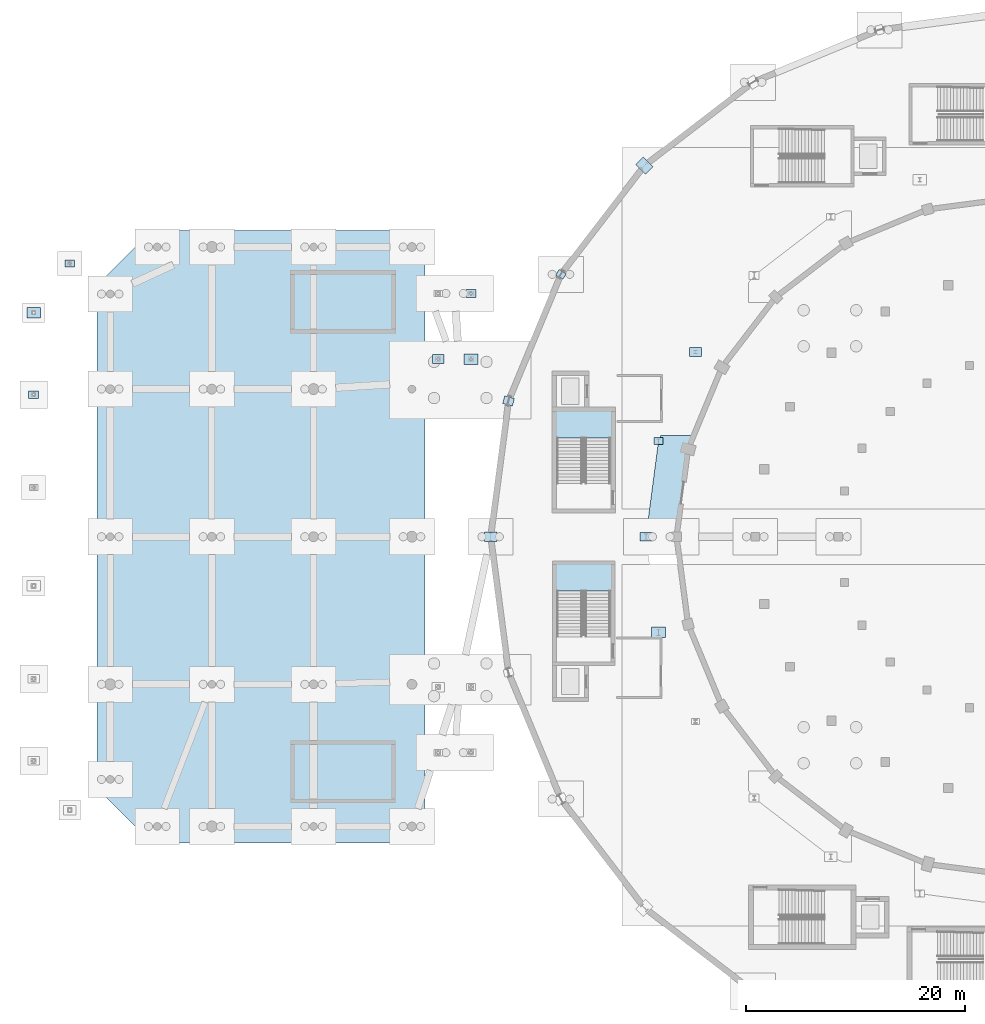
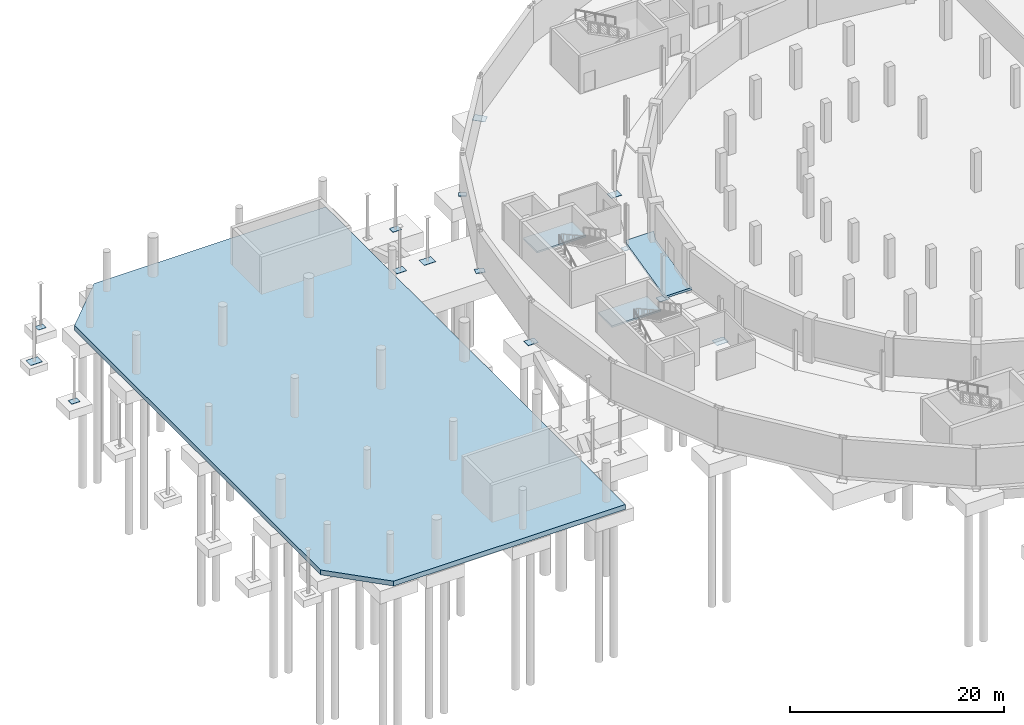
# One storey, part 35 of 55: 14 plates, 4 slabs, 2 elements without a shape of their own.
"""IFC4 building model written with IfcOpenShell, lengths in metres."""

from ifc_helpers import new_model, si_unit, direction, frame, origin, origin_2d, place, context, subcontext, project, spatial, polyline, rectangle, outline, extrude, material, layer, layer_set, type_object, element, aggregate, save


model = new_model("IFC4")

# Units and contexts
model_context = context("Model", 3, precision=1e-05, world=origin(), true_north=direction((0.0, 1.0)))
body_context = subcontext(model_context, "Body", "Model", "MODEL_VIEW")
ifc_project = project(units=[si_unit("LENGTHUNIT", "METRE"), si_unit("AREAUNIT", "SQUARE_METRE"), si_unit("VOLUMEUNIT", "CUBIC_METRE"), si_unit("PLANEANGLEUNIT", "RADIAN"), si_unit("MASSUNIT", "GRAM", prefix="KILO")], contexts=[model_context])

# Site, building, storey
site_placement = place(None, origin())
site = spatial("IfcSite", under=ifc_project, at=site_placement, CompositionType="ELEMENT")
building_placement = place(site_placement, origin())
building = spatial("IfcBuilding", under=site, at=building_placement, Name="Sohan Crest Arena", CompositionType="ELEMENT")
storey_placement = place(building_placement, frame((0.0, 0.0, -4.5)))
storey = spatial("IfcBuildingStorey", under=building, at=storey_placement, Name="B1", CompositionType="ELEMENT", Elevation=-4.5)

# Slabs
ifc_material_1 = material(Name="Concrete C40/50", Category="concrete")
ifc_layer_1 = layer(ifc_material_1, 0.550048828125, Name="Concrete C40/50")
ifc_layer_set_1 = layer_set([ifc_layer_1], Name="Concrete C40/50")
slab_type_1 = type_object("IfcSlabType", Name="SL-BASE2", PredefinedType="BASESLAB", material=ifc_layer_set_1)
slab_1_placement = place(storey_placement, frame((0.0, 0.0, -0.550048828125)))
element("IfcSlab", 1, at=slab_1_placement, inside=storey, type_object=slab_type_1, Name="Entrance foyer B1 foundation base slab SL-B1-V3", PredefinedType="BASESLAB", context=body_context, shape_type="SweptSolid", body=[
    extrude(outline(polyline([(19.0, 50.0), (44.0, 50.0), (44.0, 106.0), (19.0, 106.0), (14.0, 101.0), (14.0, 55.0), (19.0, 50.0)])), origin(), (0.0, 0.0, 1.0), 0.550048828125),
])
ifc_layer_2 = layer(ifc_material_1, 0.25, Name="Concrete C40/50")
ifc_layer_set_2 = layer_set([ifc_layer_2], Name="Concrete C40/50")
slab_type_2 = type_object("IfcSlabType", Name="SL-FLR3", PredefinedType="FLOOR", material=ifc_layer_set_2)
slab_2_placement = place(storey_placement, frame((0.0, 0.0, -0.25)))
element("IfcSlab", 2, at=slab_2_placement, inside=storey, type_object=slab_type_2, Name="Seismic joint threshold slab B1 SL-TH-B1-05", PredefinedType="FLOOR", context=body_context, shape_type="SweptSolid", body=[
    extrude(outline(polyline([(64.199951171875, 78.0), (65.35205078125, 86.748046875), (65.55908203125, 87.248046875), (68.555908203125, 87.248046875), (68.555908203125, 87.22998046875), (68.055908203125, 86.02294921875), (67.0, 78.0), (67.06591796875, 77.5), (64.26611328125, 77.5), (64.199951171875, 78.0)])), origin(), (0.0, 0.0, 1.0), 0.25),
])

# Stair, slab
stair_type = type_object("IfcStairType", Name="ST-450", PredefinedType="TWO_STRAIGHT_RUN_STAIR", material=ifc_material_1)
stair_1_placement = place(storey_placement, origin())
stair_1 = element("IfcStair", 3, at=stair_1_placement, inside=storey, type_object=stair_type, Name="Protected exit stair ST01-B1", PredefinedType="TWO_STRAIGHT_RUN_STAIR")
ifc_layer_3 = layer(ifc_material_1, 0.199951171875, Name="Concrete C40/50")
ifc_layer_set_3 = layer_set([ifc_layer_3], Name="Concrete C40/50")
slab_type_3 = type_object("IfcSlabType", Name="SL-LND1", PredefinedType="LANDING", material=ifc_layer_set_3)
slab_3_placement = place(storey_placement, frame((0.0, 0.0, 2.050048828125)))
slab_3 = element("IfcSlab", 4, at=slab_3_placement, type_object=slab_type_3, Name="ST01-B1 landing 1", PredefinedType="LANDING", context=body_context, shape_type="SweptSolid", body=[
    extrude(outline(polyline([(55.85009765625, 73.030029296875), (61.14990234375, 73.030029296875), (61.14990234375, 75.60009765625), (55.85009765625, 75.60009765625), (55.85009765625, 73.030029296875)])), origin(), (0.0, 0.0, 1.0), 0.199951171875),
])
aggregate(stair_1, [slab_3])

stair_2_placement = place(storey_placement, origin())
stair_2 = element("IfcStair", 5, at=stair_2_placement, inside=storey, type_object=stair_type, Name="Protected exit stair ST02-B1", PredefinedType="TWO_STRAIGHT_RUN_STAIR")
slab_4_placement = place(storey_placement, frame((0.0, 0.0, 2.050048828125)))
slab_4 = element("IfcSlab", 6, at=slab_4_placement, type_object=slab_type_3, Name="ST02-B1 landing 1", PredefinedType="LANDING", context=body_context, shape_type="SweptSolid", body=[
    extrude(outline(polyline([(55.85009765625, 87.030029296875), (61.14990234375, 87.030029296875), (61.14990234375, 89.60009765625), (55.85009765625, 89.60009765625), (55.85009765625, 87.030029296875)])), origin(), (0.0, 0.0, 1.0), 0.199951171875),
])
aggregate(stair_2, [slab_4])

# Plates
ifc_material_2 = material(Name="Steel S355", Category="steel")
ifc_layer_4 = layer(ifc_material_2, 0.031982421875, Name="Steel S355")
ifc_layer_set_4 = layer_set([ifc_layer_4], Name="Steel S355")
plate_type_1 = type_object("IfcPlateType", Name="STR-PL-BP01", PredefinedType="USERDEFINED", material=ifc_layer_set_4)
for number, where, z_axis, x_axis, name in (
    (7, (11.5, 103.0, -0.5498046875), (0.0, 0.0, 1.0), (1.0, 0.0, 0.0), "Canopy column base plate BP-P06"),
    (8, (65.35205078125, 86.748046875, -0.5498046875), (0.0, 0.0, 1.0), (1.0, 0.0, 0.0), "Steel column base plate BP-V2I-06"),
):
    element("IfcPlate", number, at=place(storey_placement, frame(where, z_axis=z_axis, x_axis=x_axis)), inside=storey, type_object=plate_type_1, Name=name, ObjectType="BASE PLATE", PredefinedType="USERDEFINED", context=body_context, shape_type="SweptSolid", body=[
        extrude(rectangle(XDim=0.85009765625, YDim=0.64990234375, at=origin_2d()), origin(), (0.0, 0.0, 1.0), 0.031982421875),
    ])
ifc_layer_5 = layer(ifc_material_2, 0.034912109375, Name="Steel S355")
ifc_layer_set_5 = layer_set([ifc_layer_5], Name="Steel S355")
plate_type_2 = type_object("IfcPlateType", Name="STR-PL-BP02", PredefinedType="USERDEFINED", material=ifc_layer_set_5)
for number, where, z_axis, x_axis, name in (
    (9, (64.199951171875, 78.0, -0.54931640625), (0.0, 0.0, 1.0), (1.0, 0.0, 0.0), "Steel column base plate BP-V2I-07"),
    (10, (45.199951171875, 94.25, -0.54931640625), (0.0, 0.0, 1.0), (1.0, 0.0, 0.0), "Steel column base plate BP-BC-BR-W2-1"),
):
    element("IfcPlate", number, at=place(storey_placement, frame(where, z_axis=z_axis, x_axis=x_axis)), inside=storey, type_object=plate_type_2, Name=name, ObjectType="BASE PLATE", PredefinedType="USERDEFINED", context=body_context, shape_type="SweptSolid", body=[
        extrude(rectangle(XDim=1.050048828125, YDim=0.800048828125, at=origin_2d()), origin(), (0.0, 0.0, 1.0), 0.034912109375),
    ])
ifc_layer_6 = layer(ifc_material_2, 0.034912109375, Name="Steel S355")
ifc_layer_set_6 = layer_set([ifc_layer_6], Name="Steel S355")
plate_type_3 = type_object("IfcPlateType", Name="STR-PL-BP03", PredefinedType="USERDEFINED", material=ifc_layer_set_6)
for number, where, z_axis, x_axis, name in (
    (11, (8.199951171875, 98.5, -0.54931640625), (0.0, 0.0, 1.0), (1.0, 0.0, 0.0), "Canopy column base plate BP-P08"),
    (12, (65.35205078125, 69.251953125, -0.54931640625), (0.0, 0.0, 1.0), (1.0, 0.0, 0.0), "Steel column base plate BP-V2I-08"),
    (13, (64.05908203125, 111.94091796875, -0.54931640625), (0.0, 0.0, 1.0), (-0.707106781187, 0.707106781187, 0.0), "Steel column base plate BP-V2O-04"),
    (14, (48.199951171875, 94.25, -0.54931640625), (0.0, 0.0, 1.0), (1.0, 0.0, 0.0), "Steel column base plate BP-BC-BR-W2-2"),
):
    element("IfcPlate", number, at=place(storey_placement, frame(where, z_axis=z_axis, x_axis=x_axis)), inside=storey, type_object=plate_type_3, Name=name, ObjectType="BASE PLATE", PredefinedType="USERDEFINED", context=body_context, shape_type="SweptSolid", body=[
        extrude(rectangle(XDim=1.25, YDim=0.949951171875, at=origin_2d()), origin(), (0.0, 0.0, 1.0), 0.034912109375),
    ])
ifc_layer_7 = layer(ifc_material_2, 0.030029296875, Name="Steel S355")
ifc_layer_set_7 = layer_set([ifc_layer_7], Name="Steel S355")
plate_type_4 = type_object("IfcPlateType", Name="STR-PL-BP04", PredefinedType="USERDEFINED", material=ifc_layer_set_7)
plate_placement = place(storey_placement, frame((56.430908203125, 102.0, -0.5498046875), z_axis=(0.0, 0.0, 1.0), x_axis=(-0.866025403784, 0.5, 0.0)))
element("IfcPlate", 15, at=plate_placement, inside=storey, type_object=plate_type_4, Name="Steel column base plate BP-V2O-05", ObjectType="BASE PLATE", PredefinedType="USERDEFINED", context=body_context, shape_type="SweptSolid", body=[
    extrude(rectangle(XDim=0.760009765625, YDim=0.580078125, at=origin_2d()), origin(), (0.0, 0.0, 1.0), 0.030029296875),
])
ifc_layer_8 = layer(ifc_material_2, 0.032958984375, Name="Steel S355")
ifc_layer_set_8 = layer_set([ifc_layer_8], Name="Steel S355")
plate_type_5 = type_object("IfcPlateType", Name="STR-PL-BP05", PredefinedType="USERDEFINED", material=ifc_layer_set_8)
for number, where, z_axis, x_axis, name in (
    (16, (8.199951171875, 91.0, -0.55029296875), (0.0, 0.0, 1.0), (1.0, 0.0, 0.0), "Canopy column base plate BP-P04"),
    (17, (51.635986328125, 90.423095703125, -0.55029296875), (0.0, 0.0, 1.0), (-0.965925826289, 0.258819045103, 0.0), "Steel column base plate BP-V2O-06"),
    (18, (48.199951171875, 100.25, -0.55029296875), (0.0, 0.0, 1.0), (1.0, 0.0, 0.0), "Steel column base plate BP-BC-BR-W2-4"),
):
    element("IfcPlate", number, at=place(storey_placement, frame(where, z_axis=z_axis, x_axis=x_axis)), inside=storey, type_object=plate_type_5, Name=name, ObjectType="BASE PLATE", PredefinedType="USERDEFINED", context=body_context, shape_type="SweptSolid", body=[
        extrude(rectangle(XDim=0.919921875, YDim=0.699951171875, at=origin_2d()), origin(), (0.0, 0.0, 1.0), 0.032958984375),
    ])
ifc_layer_9 = layer(ifc_material_2, 0.035888671875, Name="Steel S355")
ifc_layer_set_9 = layer_set([ifc_layer_9], Name="Steel S355")
plate_type_6 = type_object("IfcPlateType", Name="STR-PL-BP06", PredefinedType="USERDEFINED", material=ifc_layer_set_9)
for number, where, z_axis, x_axis, name in (
    (19, (68.72802734375, 94.89990234375, -0.5498046875), (0.0, 0.0, 1.0), (1.0, 0.0, 0.0), "Steel column base plate BP-V2I-05"),
    (20, (50.0, 78.0, -0.5498046875), (0.0, 0.0, 1.0), (1.0, 0.0, 0.0), "Steel column base plate BP-V2O-07"),
):
    element("IfcPlate", number, at=place(storey_placement, frame(where, z_axis=z_axis, x_axis=x_axis)), inside=storey, type_object=plate_type_6, Name=name, ObjectType="BASE PLATE", PredefinedType="USERDEFINED", context=body_context, shape_type="SweptSolid", body=[
        extrude(rectangle(XDim=1.1201171875, YDim=0.860107421875, at=origin_2d()), origin(), (0.0, 0.0, 1.0), 0.035888671875),
    ])

save(model, "model.ifc")
